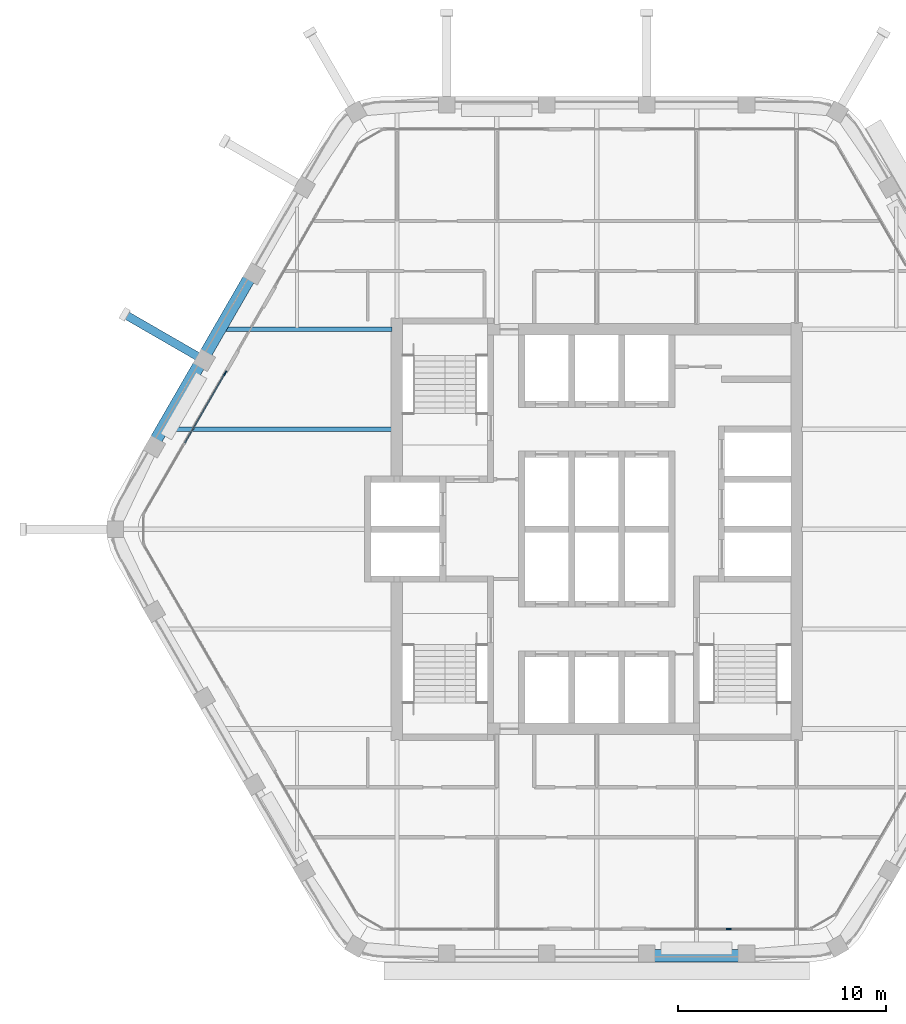
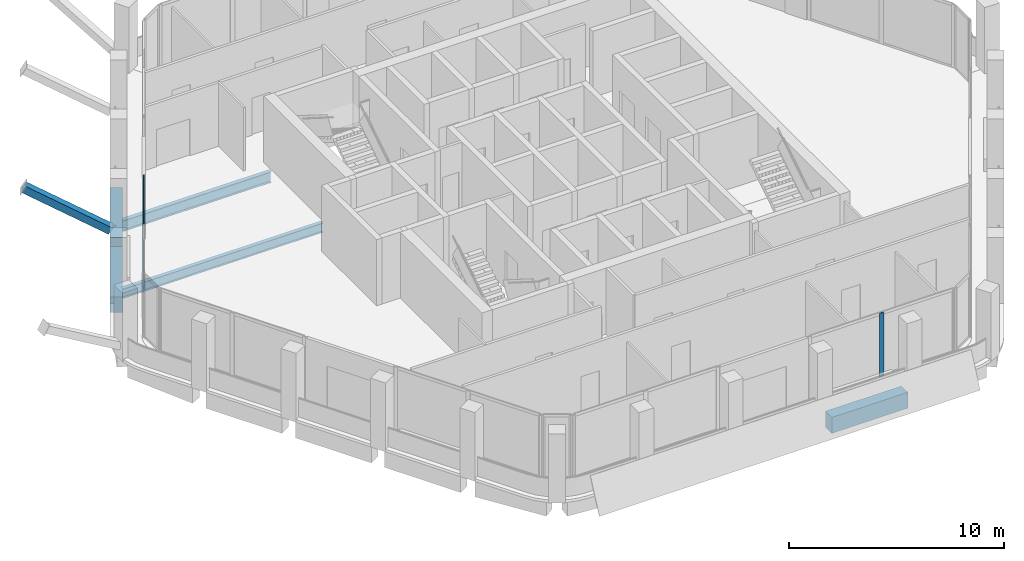
# One storey, part 3 of 14: 5 beams, 5 members, 2 elements without a shape of their own.
"""IFC4 building model written with IfcOpenShell, lengths in metres."""

from ifc_helpers import new_model, si_unit, direction, frame, origin, origin_2d, place, context, subcontext, project, spatial, rectangle, hollow_rectangle, i_section, extrude, material, material_profile, profile_set, type_object, element, aggregate, save


model = new_model("IFC4")

# Units and contexts
model_context = context("Model", 3, precision=1e-05, world=origin(), true_north=direction((0.0, 1.0)))
body_context = subcontext(model_context, "Body", "Model", "MODEL_VIEW")
ifc_project = project(units=[si_unit("LENGTHUNIT", "METRE"), si_unit("AREAUNIT", "SQUARE_METRE"), si_unit("VOLUMEUNIT", "CUBIC_METRE"), si_unit("PLANEANGLEUNIT", "RADIAN"), si_unit("MASSUNIT", "GRAM", prefix="KILO")], contexts=[model_context])

# Site, building, storey
site_placement = place(None, origin())
site = spatial("IfcSite", under=ifc_project, at=site_placement, CompositionType="ELEMENT")
building_placement = place(site_placement, origin())
building = spatial("IfcBuilding", under=site, at=building_placement, Name="Kolab Exchange Tower", CompositionType="ELEMENT")
storey_placement = place(building_placement, frame((0.0, 0.0, 250.10009765625)))
storey = spatial("IfcBuildingStorey", under=building, at=storey_placement, Name="L55", CompositionType="ELEMENT", Elevation=250.10009765625)

# Beams
ifc_material_1 = material(Name="Steel S355", Category="steel")
ifc_material_profile_1 = material_profile(ifc_material_1, i_section(OverallWidth=0.208984375, OverallDepth=0.532958984375, WebThickness=0.01025390625, FlangeThickness=0.015625, at=origin_2d()), Name="W530X92")
ifc_profile_set_1 = profile_set([ifc_material_profile_1], Name="Steel S355")
beam_type_1 = type_object("IfcBeamType", Name="FLOOR BEAM W530X92", PredefinedType="BEAM", material=ifc_profile_set_1)
beam_1_placement = place(storey_placement, frame((-20.575927734375, 4.800048828125, -0.41650390625), z_axis=(1.0, 0.0, 0.0), x_axis=(0.0, 1.0, 0.0)))
element("IfcBeam", 1, at=beam_1_placement, inside=storey, type_object=beam_type_1, Name="beam/L55/fr/002", PredefinedType="BEAM", context=body_context, shape_type="SweptSolid", body=[
    extrude(i_section(OverallWidth=0.208984375, OverallDepth=0.532958984375, WebThickness=0.01025390625, FlangeThickness=0.015625, at=origin_2d()), origin(), (0.0, 0.0, 1.0), 10.740966796875),
])
ifc_material_profile_2 = material_profile(ifc_material_1, i_section(OverallWidth=0.22802734375, OverallDepth=0.60791015625, WebThickness=0.01123046875, FlangeThickness=0.017333984375, at=origin_2d()), Name="W610X113")
ifc_profile_set_2 = profile_set([ifc_material_profile_2], Name="Steel S355")
beam_type_2 = type_object("IfcBeamType", Name="FLOOR GIRDER W610X113", PredefinedType="BEAM", material=ifc_profile_set_2)
beam_2_placement = place(storey_placement, frame((-17.8046875, 9.60009765625, -0.4541015625), z_axis=(1.0, 0.0, 0.0), x_axis=(0.0, 1.0, 0.0)))
element("IfcBeam", 2, at=beam_2_placement, inside=storey, type_object=beam_type_2, Name="beam/L55/gd/001", PredefinedType="BEAM", context=body_context, shape_type="SweptSolid", body=[
    extrude(i_section(OverallWidth=0.22802734375, OverallDepth=0.60791015625, WebThickness=0.01123046875, FlangeThickness=0.017333984375, at=origin_2d()), origin(), (0.0, 0.0, 1.0), 7.9697265625),
])

# Member
ifc_material_profile_3 = material_profile(ifc_material_1, hollow_rectangle(XDim=0.39990234375, YDim=0.39990234375, WallThickness=0.02001953125, at=origin_2d()), Name="HSS400X400X20")
ifc_profile_set_3 = profile_set([ifc_material_profile_3], Name="Steel S355")
member_type_1 = type_object("IfcMemberType", Name="LEDGE STRUT HSS400X400X20", PredefinedType="STRUT", material=ifc_profile_set_3)
member_1_placement = place(storey_placement, frame((-19.165283203125, 8.293701171875, 0.599853515625), z_axis=(-0.74712949304, 0.431355064226, 0.505697863547), x_axis=(-0.499999695987, -0.866025579307, 0.0)))
element("IfcMember", 3, at=member_1_placement, inside=storey, type_object=member_type_1, Name="mem/L55/ledge/strut-1", PredefinedType="STRUT", context=body_context, shape_type="SweptSolid", body=[
    extrude(hollow_rectangle(XDim=0.39990234375, YDim=0.39990234375, WallThickness=0.02001953125, at=origin_2d()), origin(), (0.0, 0.0, 1.0), 4.682861328125),
])

# Beams
ifc_material_2 = material(Name="Concrete C50/60", Category="concrete")
ifc_material_profile_4 = material_profile(ifc_material_2, rectangle(XDim=0.60009765625, YDim=0.89990234375, at=origin_2d()), Name="RC600X900")
ifc_profile_set_4 = profile_set([ifc_material_profile_4], Name="Concrete C50/60")
beam_type_3 = type_object("IfcBeamType", Name="SPANDREL BEAM 600X900 C50/60", PredefinedType="BEAM", material=ifc_profile_set_4)
for number, where, z_axis, x_axis, name in (
    (4, (6.840087890625, -20.484619140625, -0.60009765625), (-1.0, 0.0, 0.0), (0.0, -1.0, 0.0), "beam/L55/sp/F4-02"),
    (5, (-21.16015625, 4.318603515625, -0.60009765625), (0.500000428765, 0.866025156237, 0.0), (-0.866025156237, 0.500000428765, 0.0), "beam/L55/sp/F6-02"),
    (6, (-18.76025390625, 8.4755859375, -0.60009765625), (0.500000428765, 0.866025156237, 0.0), (-0.866025156237, 0.500000428765, 0.0), "beam/L55/sp/F6-03"),
):
    element("IfcBeam", number, at=place(storey_placement, frame(where, z_axis=z_axis, x_axis=x_axis)), inside=storey, type_object=beam_type_3, Name=name, PredefinedType="BEAM", context=body_context, shape_type="SweptSolid", body=[
        extrude(rectangle(XDim=0.60009765625, YDim=0.89990234375, at=origin_2d()), origin(), (0.0, 0.0, 1.0), 4.080078125),
    ])

# Curtain wall, member
ifc_material_3 = material(Name="Aluminium EN AW-6063 T6", Category="aluminium")
curtain_wall_type = type_object("IfcCurtainWallType", Name="UNITISED HIGH ZONE CURTAIN WALL", PredefinedType="NOTDEFINED", material=ifc_material_3)
curtain_wall_1_placement = place(storey_placement, origin())
curtain_wall_1 = element("IfcCurtainWall", 7, at=curtain_wall_1_placement, inside=storey, type_object=curtain_wall_type, Name="cw/L55/F4-1", PredefinedType="NOTDEFINED")
ifc_material_profile_5 = material_profile(ifc_material_3, rectangle(XDim=0.06005859375, YDim=0.239990234375, at=origin_2d()), Name="RECT 60X240")
ifc_profile_set_5 = profile_set([ifc_material_profile_5], Name="Aluminium EN AW-6063 T6")
member_type_2 = type_object("IfcMemberType", Name="UNITISED HIGH ZONE MULLION 60 X 240", PredefinedType="MULLION", material=ifc_profile_set_5)
member_2_placement = place(storey_placement, frame((6.333984375, -19.20458984375, 0.0), z_axis=(0.0, 0.0, 1.0), x_axis=(0.0, -1.0, 0.0)))
member_2 = element("IfcMember", 8, at=member_2_placement, type_object=member_type_2, Name="CW4 mullion 2", PredefinedType="MULLION", context=body_context, shape_type="SweptSolid", body=[
    extrude(rectangle(XDim=0.06005859375, YDim=0.239990234375, at=origin_2d()), origin(), (0.0, 0.0, 1.0), 3.599853515625),
])
aggregate(curtain_wall_1, [member_2])

# Curtain wall, members
curtain_wall_2_placement = place(storey_placement, origin())
curtain_wall_2 = element("IfcCurtainWall", 9, at=curtain_wall_2_placement, inside=storey, type_object=curtain_wall_type, Name="cw/L55/F6-1", PredefinedType="NOTDEFINED")
member_3_placement = place(storey_placement, frame((-17.8466796875, 7.497802734375, 0.0), z_axis=(0.0, 0.0, 1.0), x_axis=(-0.866025440524, 0.499999936366, 0.0)))
member_3 = element("IfcMember", 10, at=member_3_placement, type_object=member_type_2, Name="CW4 mullion 3", PredefinedType="MULLION", context=body_context, shape_type="SweptSolid", body=[
    extrude(rectangle(XDim=0.06005859375, YDim=0.239990234375, at=origin_2d()), origin(), (0.0, 0.0, 1.0), 3.599853515625),
])
ifc_material_profile_6 = material_profile(ifc_material_3, rectangle(XDim=0.06005859375, YDim=0.159912109375, at=origin_2d()), Name="RECT 60X160")
ifc_profile_set_6 = profile_set([ifc_material_profile_6], Name="Aluminium EN AW-6063 T6")
member_type_3 = type_object("IfcMemberType", Name="UNITISED HIGH ZONE TRANSOM 60 X 160", PredefinedType="USERDEFINED", material=ifc_profile_set_6)
member_4_placement = place(storey_placement, frame((-19.78369140625, 4.142822265625, 0.02978515625), z_axis=(0.500011990396, 0.866018481016, 0.0), x_axis=(-0.866018481016, 0.500011990396, 0.0)))
member_4 = element("IfcMember", 11, at=member_4_placement, type_object=member_type_3, Name="CW4 transom 2.1", ObjectType="TRANSOM", PredefinedType="USERDEFINED", context=body_context, shape_type="SweptSolid", body=[
    extrude(rectangle(XDim=0.06005859375, YDim=0.159912109375, at=origin_2d()), origin(), (0.0, 0.0, 1.0), 3.84423828125),
])
member_5_placement = place(storey_placement, frame((-19.78369140625, 4.142822265625, 3.56982421875), z_axis=(0.500011990396, 0.866018481016, 0.0), x_axis=(-0.866018481016, 0.500011990396, 0.0)))
member_5 = element("IfcMember", 12, at=member_5_placement, type_object=member_type_3, Name="CW4 transom 2.2", ObjectType="TRANSOM", PredefinedType="USERDEFINED", context=body_context, shape_type="SweptSolid", body=[
    extrude(rectangle(XDim=0.06005859375, YDim=0.159912109375, at=origin_2d()), origin(), (0.0, 0.0, 1.0), 3.84423828125),
])
aggregate(curtain_wall_2, [member_3, member_4, member_5])

save(model, "model.ifc")
